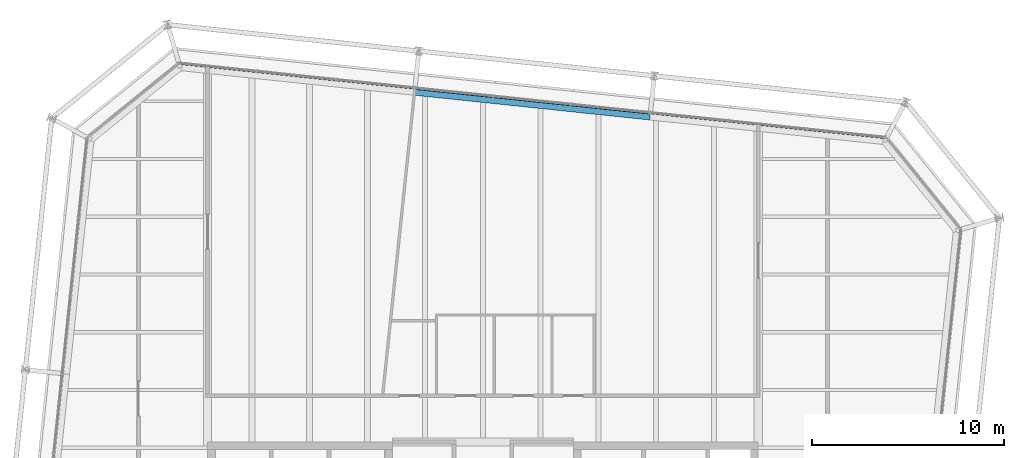
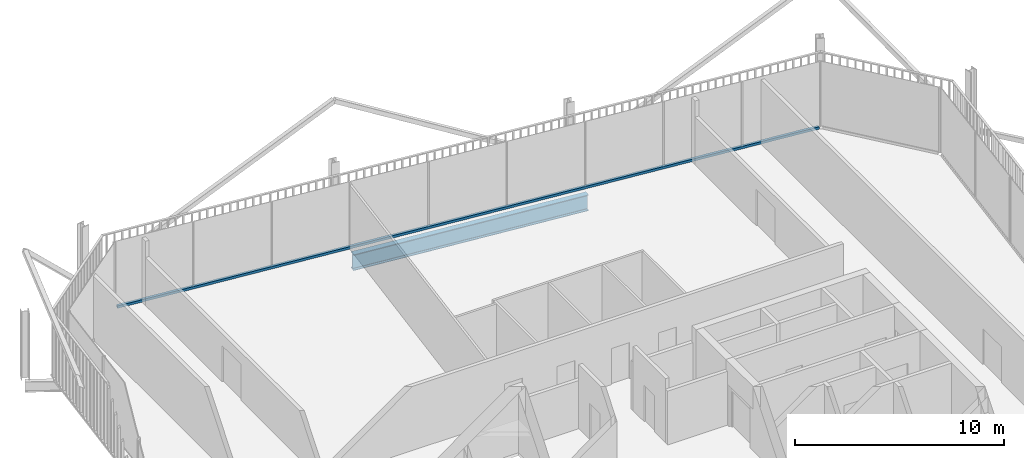
# One storey, part 13 of 21: 1 beam, 1 member, 1 element without a shape of its own.
"""IFC4 building model written with IfcOpenShell, lengths in metres."""

from ifc_helpers import new_model, si_unit, direction, frame, origin, origin_2d, place, context, subcontext, project, spatial, rectangle, i_section, extrude, material, layer, layer_set, material_profile, profile_set, type_object, element, aggregate, save


model = new_model("IFC4")

# Units and contexts
model_context = context("Model", 3, precision=1e-05, world=origin(), true_north=direction((0.0, 1.0)))
body_context = subcontext(model_context, "Body", "Model", "MODEL_VIEW")
ifc_project = project(units=[si_unit("LENGTHUNIT", "METRE"), si_unit("AREAUNIT", "SQUARE_METRE"), si_unit("VOLUMEUNIT", "CUBIC_METRE"), si_unit("PLANEANGLEUNIT", "RADIAN"), si_unit("MASSUNIT", "GRAM", prefix="KILO")], contexts=[model_context])

# Site, building, storey
site_placement = place(None, origin())
site = spatial("IfcSite", under=ifc_project, at=site_placement, CompositionType="ELEMENT")
building_placement = place(site_placement, origin())
building = spatial("IfcBuilding", under=site, at=building_placement, Name="Millrace Tower", CompositionType="ELEMENT")
storey_placement = place(building_placement, frame((0.0, 0.0, 326.5)))
storey = spatial("IfcBuildingStorey", under=building, at=storey_placement, Name="L75", CompositionType="ELEMENT", Elevation=326.5)

# Curtain wall, member
ifc_material_1 = material(Name="Aluminium and glass", Category="aluminium")
ifc_layer = layer(ifc_material_1, 0.14990234375)
ifc_layer_set = layer_set([ifc_layer], Name="Aluminium and glass")
curtain_wall_type = type_object("IfcCurtainWallType", Name="CW-1 office vision curtain wall", PredefinedType="NOTDEFINED", material=ifc_layer_set)
curtain_wall_placement = place(storey_placement, origin())
curtain_wall = element("IfcCurtainWall", 1, at=curtain_wall_placement, inside=storey, type_object=curtain_wall_type, Name="Curtain wall E-F06 L75", PredefinedType="NOTDEFINED")
ifc_material_2 = material(Name="Aluminium", Category="aluminium")
ifc_material_profile_1 = material_profile(ifc_material_2, rectangle(XDim=0.14990234375, YDim=0.139892578125, at=origin_2d()))
ifc_profile_set_1 = profile_set([ifc_material_profile_1], Name="Aluminium")
member_type = type_object("IfcMemberType", Name="CW-1 office vision curtain wall transom", PredefinedType="USERDEFINED", material=ifc_profile_set_1)
member_placement = place(storey_placement, frame((20.83544921875, 25.1318359375, 0.070068359375), z_axis=(-0.994521952886, 0.104527916025, 0.0), x_axis=(-0.104527916025, -0.994521952886, 0.0)))
member = element("IfcMember", 2, at=member_placement, type_object=member_type, Name="CW1 transom E-F06.1", ObjectType="TRANSOM", PredefinedType="USERDEFINED", context=body_context, shape_type="SweptSolid", body=[
    extrude(rectangle(XDim=0.14990234375, YDim=0.139892578125, at=origin_2d()), origin(), (0.0, 0.0, 1.0), 36.699951171875),
])
aggregate(curtain_wall, [member])

# Beam
ifc_material_3 = material(Name="Steel ASTM A992 Grade 50", Category="steel")
ifc_material_profile_2 = material_profile(ifc_material_3, i_section(OverallWidth=0.307373046875, OverallDepth=0.927001953125, WebThickness=0.01953125, FlangeThickness=0.031982421875, FilletRadius=0.01904296875, at=origin_2d()))
ifc_profile_set_2 = profile_set([ifc_material_profile_2], Name="Steel ASTM A992 Grade 50")
beam_type = type_object("IfcBeamType", Name="Ring beam medium span W36x194", PredefinedType="SPANDREL", material=ifc_profile_set_2)
beam_placement = place(storey_placement, frame((-3.554443359375, 27.46533203125, -0.62353515625), z_axis=(0.994522406476, -0.104523600289, 0.0), x_axis=(0.104523600289, 0.994522406476, 0.0)))
element("IfcBeam", 3, at=beam_placement, inside=storey, type_object=beam_type, Name="RNG-E-L75-S1-06", PredefinedType="SPANDREL", context=body_context, shape_type="SweptSolid", body=[
    extrude(i_section(OverallWidth=0.307373046875, OverallDepth=0.927001953125, WebThickness=0.01953125, FlangeThickness=0.031982421875, FilletRadius=0.01904296875, at=origin_2d()), origin(), (0.0, 0.0, 1.0), 12.300048828125),
])

save(model, "model.ifc")
